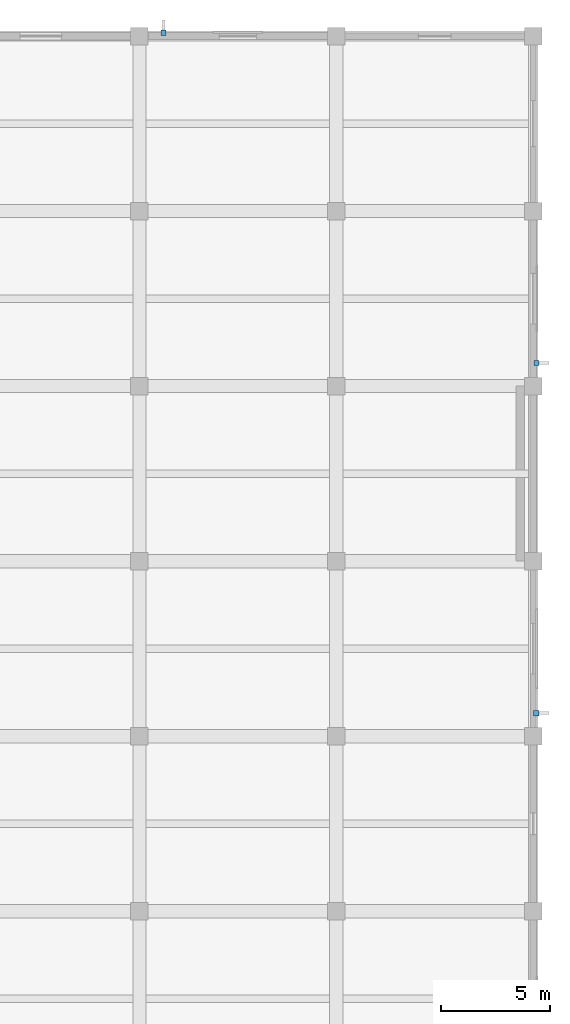
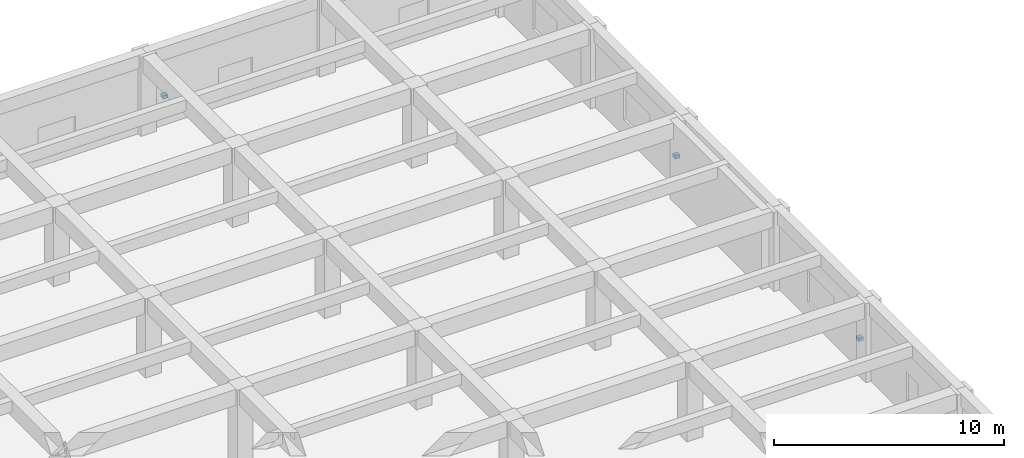
# One storey, part 26 of 32: 3 discrete accessories.
"""IFC4 building model written with IfcOpenShell, lengths in metres."""

from ifc_helpers import new_model, si_unit, direction, frame, origin, origin_2d, place, context, subcontext, project, spatial, rectangle, extrude, material, layer, layer_set, type_object, element, save


model = new_model("IFC4")

# Units and contexts
model_context = context("Model", 3, precision=1e-05, world=origin(), true_north=direction((0.0, 1.0)))
body_context = subcontext(model_context, "Body", "Model", "MODEL_VIEW")
ifc_project = project(units=[si_unit("LENGTHUNIT", "METRE"), si_unit("AREAUNIT", "SQUARE_METRE"), si_unit("VOLUMEUNIT", "CUBIC_METRE"), si_unit("PLANEANGLEUNIT", "RADIAN"), si_unit("MASSUNIT", "GRAM", prefix="KILO")], contexts=[model_context])

# Site, building, storey
site_placement = place(None, origin())
site = spatial("IfcSite", under=ifc_project, at=site_placement, CompositionType="ELEMENT")
building_placement = place(site_placement, origin())
building = spatial("IfcBuilding", under=site, at=building_placement, Name="Zaverband Oceanarium and Marine Research Institute", CompositionType="ELEMENT")
storey_placement = place(building_placement, frame((0.0, 0.0, 13.5)))
storey = spatial("IfcBuildingStorey", under=building, at=storey_placement, Name="L03", CompositionType="ELEMENT", Elevation=13.5)

# Discrete accessories
ifc_material = material(Name="Steel S355", Category="steel")
ifc_layer = layer(ifc_material, 0.179931640625, Name="Steel S355")
ifc_layer_set = layer_set([ifc_layer], Name="Steel S355")
discrete_accessory_type = type_object("IfcDiscreteAccessoryType", Name="BRK-STL-200", PredefinedType="BRACKET", material=ifc_layer_set)
for number, where, z_axis, x_axis, name in (
    (1, (163.10498046875, 120.155029296875, 1.22021484375), (0.0, 0.0, 1.0), (1.0, 0.0, 0.0), "Galvanized steel facade fin structural bracket BRK-STL-200"),
    (2, (180.132568359375, 89.054931640625, 1.22021484375), (0.0, 0.0, 1.0), (1.0, 0.0, 0.0), "Galvanized steel facade fin structural bracket BRK-STL-200"),
    (3, (180.14501953125, 105.054931640625, 1.22021484375), (0.0, 0.0, 1.0), (1.0, 0.0, 0.0), "Galvanized steel facade fin structural bracket BRK-STL-200"),
):
    element("IfcDiscreteAccessory", number, at=place(storey_placement, frame(where, z_axis=z_axis, x_axis=x_axis)), inside=storey, type_object=discrete_accessory_type, Name=name, PredefinedType="BRACKET", context=body_context, shape_type="SweptSolid", body=[
        extrude(rectangle(XDim=0.239990234375, YDim=0.239990234375, at=origin_2d()), origin(), (0.0, 0.0, 1.0), 0.179931640625),
    ])

save(model, "model.ifc")
